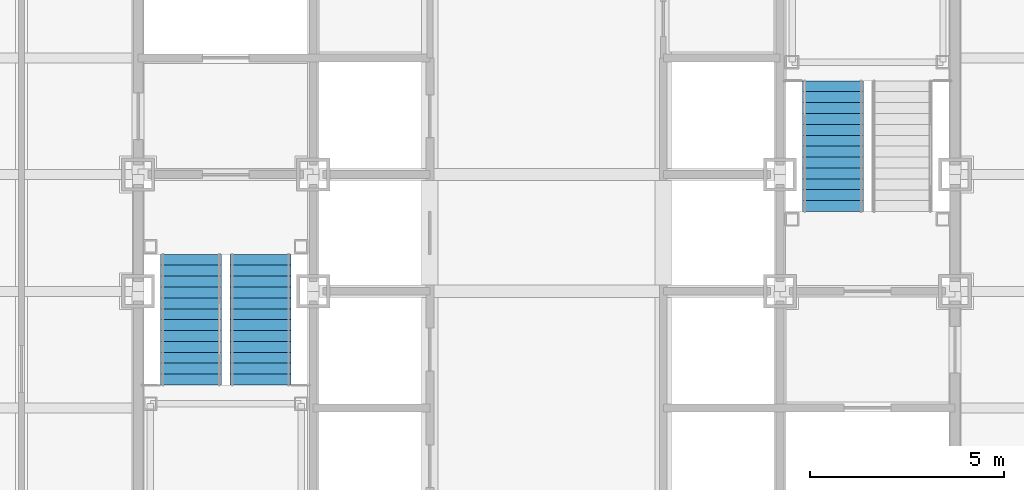
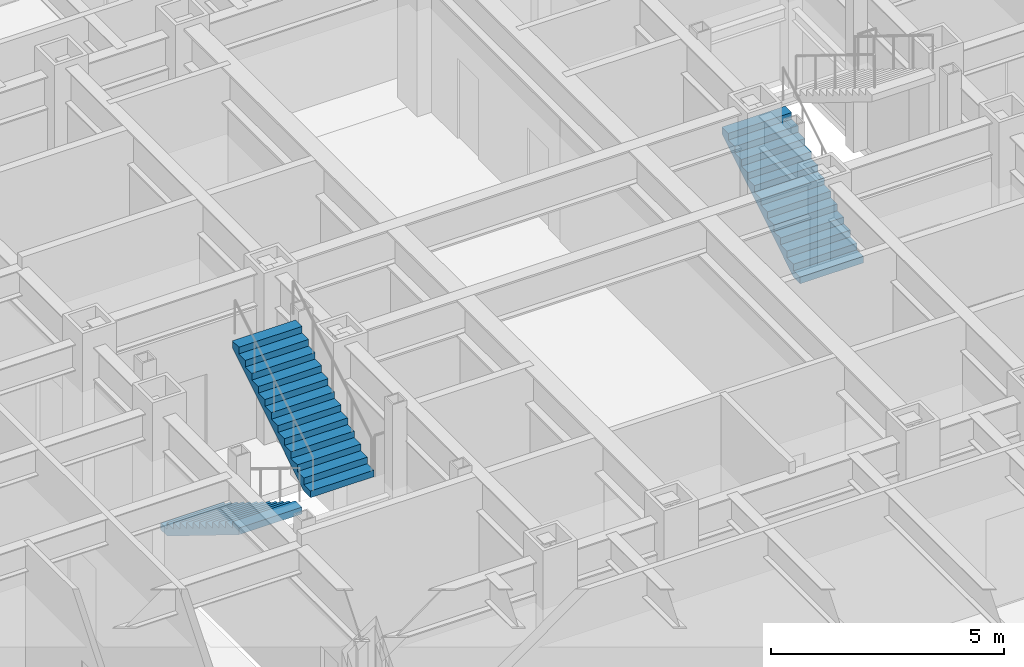
# One storey, part 12 of 16: 3 stair flights, 2 elements without a shape of their own.
"""IFC4 building model written with IfcOpenShell, lengths in metres."""

import ifcopenshell
import ifcopenshell.guid

model = None  # the IFC model being written
_history = None  # IfcOwnerHistory: only IFC2X3 demands one
_inside = {}  # id of a spatial element -> (the spatial element, [elements in it])
_under = {}  # id of a project, library or spatial element -> (it, [spatial elements below it])
_declared = {}  # id of a project -> (the project, [libraries it declares])
_typed = {}  # id of a type object -> (the type object, [elements of that type])
_made_of = {}  # id of a material, layer set ... -> (it, [elements and type objects made of it])


def new_model(schema):
    """Start an empty IFC model of exactly this schema.

    Asked for "IFC4X3", IfcOpenShell would pick the latest addendum, in which some entities
    have other attributes; the version numbers below select the first issue.
    IFC2X3 requires an IfcOwnerHistory on every rooted entity: one is made here for all.
    """
    global model, _history
    if schema == "IFC4X3":
        model = ifcopenshell.file(schema_version=(4, 3, 0, 0))
    else:
        model = ifcopenshell.file(schema=schema)
    _inside.clear()
    _under.clear()
    _declared.clear()
    _typed.clear()
    _made_of.clear()
    _history = None
    if model.schema == "IFC2X3":
        org = make("IfcOrganization", Name="unknown")
        user = make(
            "IfcPersonAndOrganization",
            ThePerson=make("IfcPerson", FamilyName="unknown"),
            TheOrganization=org,
        )
        app = make(
            "IfcApplication",
            ApplicationDeveloper=org,
            Version="unknown",
            ApplicationFullName="unknown",
            ApplicationIdentifier="unknown",
        )
        _history = make(
            "IfcOwnerHistory",
            OwningUser=user,
            OwningApplication=app,
            ChangeAction="ADDED",
            CreationDate=0,
        )
    return model


def make(cls, **values):
    """One entity of the class cls with the attributes given. An attribute that is None is left unset."""
    return model.create_entity(
        cls, **{name: value for name, value in values.items() if value is not None}
    )


def rooted(cls, **values):
    """An entity with a GlobalId (a new one), such as an element, a storey or a relation."""
    return make(cls, GlobalId=ifcopenshell.guid.new(), OwnerHistory=_history, **values)


def si_unit(unit_type, name, prefix=None):
    """IfcSIUnit, for example si_unit("LENGTHUNIT", "METRE", prefix="MILLI")."""
    return make("IfcSIUnit", UnitType=unit_type, Prefix=prefix, Name=name)


def assignment(units):
    """IfcUnitAssignment: the units of a project."""
    return None if units is None else make("IfcUnitAssignment", Units=units)


def point(xyz):
    """IfcCartesianPoint."""
    return None if xyz is None else make("IfcCartesianPoint", Coordinates=xyz)


def direction(xyz):
    """IfcDirection."""
    return None if xyz is None else make("IfcDirection", DirectionRatios=xyz)


def frame(location, z_axis=None, x_axis=None):
    """IfcAxis2Placement3D, a coordinate frame: its origin and axes. An axis left out is left unset."""
    return make(
        "IfcAxis2Placement3D",
        Location=point(location),
        Axis=direction(z_axis),
        RefDirection=direction(x_axis),
    )


def origin():
    """The frame at (0, 0, 0) with its axes left unset."""
    return frame((0.0, 0.0, 0.0))


def place(relative_to, where):
    """IfcLocalPlacement: puts the frame where relative to a parent placement (None: the world)."""
    return make(
        "IfcLocalPlacement", PlacementRelTo=relative_to, RelativePlacement=where
    )


def context(
    kind, dimensions, precision=None, world=None, true_north=None, identifier=None
):
    """IfcGeometricRepresentationContext, for example the 3D "Model" context."""
    return make(
        "IfcGeometricRepresentationContext",
        ContextIdentifier=identifier,
        ContextType=kind,
        CoordinateSpaceDimension=dimensions,
        Precision=precision,
        WorldCoordinateSystem=world,
        TrueNorth=true_north,
    )


def subcontext(parent, identifier, kind, view, scale=None):
    """IfcGeometricRepresentationSubContext, for example "Body" below "Model"."""
    return make(
        "IfcGeometricRepresentationSubContext",
        ContextIdentifier=identifier,
        ContextType=kind,
        ParentContext=parent,
        TargetScale=scale,
        TargetView=view,
    )


def project(units=None, contexts=None):
    """IfcProject with its units and contexts."""
    return rooted(
        "IfcProject",
        Name="project",
        RepresentationContexts=contexts,
        UnitsInContext=assignment(units),
    )


def spatial(cls, under=None, at=None, **own):
    """A site, building, storey or space (cls), placed at a placement, below another one or the project."""
    s = rooted(cls, ObjectPlacement=at, **own)
    if under is not None:
        _under.setdefault(under.id(), (under, []))[1].append(s)
    return s


def faces_of(points, faces, orient=None, outer=None):
    """IfcFace entities. A face is a list of loops; a loop is a list of indices into points, from 0.

    orient and outer hold one flag for each loop. By default every Orientation is true, the
    first loop of a face is its IfcFaceOuterBound and the others are IfcFaceBound.
    """
    made = []
    for i, loops in enumerate(faces):
        bounds = []
        for j, loop in enumerate(loops):
            is_outer = j == 0 if outer is None else outer[i][j]
            bounds.append(
                make(
                    "IfcFaceOuterBound" if is_outer else "IfcFaceBound",
                    Bound=make("IfcPolyLoop", Polygon=[points[k] for k in loop]),
                    Orientation=True if orient is None else orient[i][j],
                )
            )
        made.append(make("IfcFace", Bounds=bounds))
    return made


def faceted_brep(points, faces, orient=None, outer=None, voids=None):
    """IfcFacetedBrep: a solid bounded by flat faces; with voids (closed shells), ...WithVoids."""
    shared = [point(p) for p in points]
    hull = make("IfcClosedShell", CfsFaces=faces_of(shared, faces, orient, outer))
    if voids is None:
        return make("IfcFacetedBrep", Outer=hull)
    return make(
        "IfcFacetedBrepWithVoids",
        Outer=hull,
        Voids=[
            make(cls, CfsFaces=faces_of(shared, fs, o, b)) for cls, fs, o, b in voids
        ],
    )


def shape(context_of_items, identifier, shape_type, items):
    """IfcShapeRepresentation: the items that make up one representation, for example the "Body"."""
    return make(
        "IfcShapeRepresentation",
        ContextOfItems=context_of_items,
        RepresentationIdentifier=identifier,
        RepresentationType=shape_type,
        Items=items,
    )


def material(Name=None, Category=None):
    """IfcMaterial."""
    return make("IfcMaterial", Name=Name, Category=Category)


def made_of(thing, what):
    """Note that an element or type object is made of a material, layer set ...; save() writes the relation."""
    if what is not None:
        _made_of.setdefault(what.id(), (what, []))[1].append(thing)
    return thing


def type_object(cls, material=None, **own):
    """A type object (cls), such as IfcWallType, which elements share."""
    return made_of(rooted(cls, **own), material)


def element(
    cls,
    number,
    at=None,
    inside=None,
    cuts=None,
    type_object=None,
    material=None,
    context=None,
    identifier="Body",
    shape_type=None,
    held_by="IfcProductDefinitionShape",
    body=None,
    shapes=None,
    **own,
):
    """One element of the class cls, such as IfcWall. Its Tag is "e" and its number.

    at: its placement. inside: the storey or other place that contains it. cuts: it is an
    opening in that element (IfcRelVoidsElement). A single representation is given by context,
    identifier, shape_type and body (its items); several are given by shapes. held_by: the class
    of the entity that holds the representations. save() writes the other relations.
    """
    e = rooted(cls, Tag="e%d" % number, ObjectPlacement=at, **own)
    if body is not None:
        shapes = [shape(context, identifier, shape_type, body)]
    if shapes is not None:
        e.Representation = make(held_by, Representations=shapes)
    if inside is not None:
        _inside.setdefault(inside.id(), (inside, []))[1].append(e)
    if cuts is not None:
        rooted(
            "IfcRelVoidsElement", RelatingBuildingElement=cuts, RelatedOpeningElement=e
        )
    if type_object is not None:
        _typed.setdefault(type_object.id(), (type_object, []))[1].append(e)
    return made_of(e, material)


def aggregate(whole, parts):
    """IfcRelAggregates: a whole, such as a stair, and the parts it consists of."""
    return rooted("IfcRelAggregates", RelatingObject=whole, RelatedObjects=parts)


def save(model, path):
    """Write the relations noted so far, then the file.

    IfcRelAggregates (storeys below a building ...), IfcRelContainedInSpatialStructure (elements
    in a storey), IfcRelDefinesByType, IfcRelAssociatesMaterial and IfcRelDeclares: one each for
    every whole, place, type object, material and project.
    """
    for whole, parts in _under.values():
        aggregate(whole, parts)
    for where, things in _inside.values():
        rooted(
            "IfcRelContainedInSpatialStructure",
            RelatedElements=things,
            RelatingStructure=where,
        )
    for kind, things in _typed.values():
        rooted("IfcRelDefinesByType", RelatedObjects=things, RelatingType=kind)
    for what, things in _made_of.values():
        rooted("IfcRelAssociatesMaterial", RelatedObjects=things, RelatingMaterial=what)
    for by, libraries in _declared.values():
        rooted("IfcRelDeclares", RelatingContext=by, RelatedDefinitions=libraries)
    model.write(path)


model = new_model("IFC4")

# Units and contexts
model_context = context("Model", 3, precision=1e-05, world=origin(), true_north=direction((0.0, 1.0)))
body_context = subcontext(model_context, "Body", "Model", "MODEL_VIEW")
ifc_project = project(units=[si_unit("LENGTHUNIT", "METRE"), si_unit("AREAUNIT", "SQUARE_METRE"), si_unit("VOLUMEUNIT", "CUBIC_METRE"), si_unit("PLANEANGLEUNIT", "RADIAN"), si_unit("MASSUNIT", "GRAM", prefix="KILO")], contexts=[model_context])

# Site, building, storey
site_placement = place(None, origin())
site = spatial("IfcSite", under=ifc_project, at=site_placement, CompositionType="ELEMENT")
building_placement = place(site_placement, origin())
building = spatial("IfcBuilding", under=site, at=building_placement, Name="Chuquiago Exchange Tower", CompositionType="ELEMENT")
storey_placement = place(building_placement, frame((0.0, 0.0, 82.800048828125)))
storey = spatial("IfcBuildingStorey", under=building, at=storey_placement, Name="L17", CompositionType="ELEMENT", Elevation=82.800048828125)

# Stair, stair flights
ifc_material_1 = material(Name="Concrete C30/37, precast", Category="concrete")
stair_type_1 = type_object("IfcStairType", Name="ST1 half-turn stair 4500", PredefinedType="HALF_TURN_STAIR", material=ifc_material_1)
stair_1_placement = place(storey_placement, origin())
stair_1 = element("IfcStair", 1, at=stair_1_placement, inside=storey, type_object=stair_type_1, Name="Stair ST1 L17", PredefinedType="HALF_TURN_STAIR")
ifc_material_2 = material(Name="Concrete C30/37, precast", Category="concrete")
stair_flight_type = type_object("IfcStairFlightType", Name="ST-F flight 1570 for 4500 storey", PredefinedType="STRAIGHT", material=ifc_material_2)
stair_flight_1_placement = place(storey_placement, frame((13.360107421875, 21.949951171875, 0.0), z_axis=(0.0, 0.0, 1.0), x_axis=(0.0, -1.0, 0.0)))
stair_flight_1 = element("IfcStairFlight", 2, at=stair_flight_1_placement, type_object=stair_flight_type, Name="ST1 flight 1", NumberOfRisers=13, NumberOfTreads=12, PredefinedType="STRAIGHT", RiserHeight=0.173076923, TreadLength=0.28, context=body_context, shape_type="Brep", body=[
    faceted_brep([(0.0, 0.78515625, 0.0), (0.0, 0.78515625, 0.173095703125), (0.280029296875, 0.78515625, 0.173095703125), (0.280029296875, 0.78515625, 0.34619140625), (0.56005859375, 0.78515625, 0.34619140625), (0.56005859375, 0.78515625, 0.519287109375), (0.840087890625, 0.78515625, 0.519287109375), (0.840087890625, 0.78515625, 0.6923828125), (1.1201171875, 0.78515625, 0.6923828125), (1.1201171875, 0.78515625, 0.865478515625), (1.39990234375, 0.78515625, 0.865478515625), (1.39990234375, 0.78515625, 1.03857421875), (1.679931640625, 0.78515625, 1.03857421875), (1.679931640625, 0.78515625, 1.21142578125), (1.9599609375, 0.78515625, 1.21142578125), (1.9599609375, 0.78515625, 1.384521484375), (2.239990234375, 0.78515625, 1.384521484375), (2.239990234375, 0.78515625, 1.5576171875), (2.52001953125, 0.78515625, 1.5576171875), (2.52001953125, 0.78515625, 1.730712890625), (2.800048828125, 0.78515625, 1.730712890625), (2.800048828125, 0.78515625, 1.90380859375), (3.080078125, 0.78515625, 1.90380859375), (3.080078125, 0.78515625, 2.076904296875), (3.360107421875, 0.78515625, 2.076904296875), (3.360107421875, 0.78515625, 1.900634765625), (0.28515625, 0.78515625, 0.0), (0.28515625, -0.78515625, 0.0), (3.360107421875, -0.78515625, 1.900634765625), (3.360107421875, -0.78515625, 2.076904296875), (3.080078125, -0.78515625, 2.076904296875), (3.080078125, -0.78515625, 1.90380859375), (2.800048828125, -0.78515625, 1.90380859375), (2.800048828125, -0.78515625, 1.730712890625), (2.52001953125, -0.78515625, 1.730712890625), (2.52001953125, -0.78515625, 1.5576171875), (2.239990234375, -0.78515625, 1.5576171875), (2.239990234375, -0.78515625, 1.384521484375), (1.9599609375, -0.78515625, 1.384521484375), (1.9599609375, -0.78515625, 1.21142578125), (1.679931640625, -0.78515625, 1.21142578125), (1.679931640625, -0.78515625, 1.03857421875), (1.39990234375, -0.78515625, 1.03857421875), (1.39990234375, -0.78515625, 0.865478515625), (1.1201171875, -0.78515625, 0.865478515625), (1.1201171875, -0.78515625, 0.6923828125), (0.840087890625, -0.78515625, 0.6923828125), (0.840087890625, -0.78515625, 0.519287109375), (0.56005859375, -0.78515625, 0.519287109375), (0.56005859375, -0.78515625, 0.34619140625), (0.280029296875, -0.78515625, 0.34619140625), (0.280029296875, -0.78515625, 0.173095703125), (0.0, -0.78515625, 0.173095703125), (0.0, -0.78515625, 0.0), (0.0, 0.392578125, 0.0), (0.0, 0.392578125, 0.173095703125), (0.0, 0.0, 0.0), (0.0, 0.0, 0.173095703125), (0.0, -0.392578125, 0.0), (0.0, -0.392578125, 0.173095703125), (0.280029296875, 0.392578125, 0.173095703125), (0.280029296875, 0.0, 0.173095703125), (0.280029296875, -0.392578125, 0.173095703125), (0.280029296875, 0.392578125, 0.34619140625), (0.280029296875, 0.0, 0.34619140625), (0.280029296875, -0.392578125, 0.34619140625), (0.56005859375, 0.392578125, 0.34619140625), (0.56005859375, 0.0, 0.34619140625), (0.56005859375, -0.392578125, 0.34619140625), (0.56005859375, 0.392578125, 0.519287109375), (0.56005859375, 0.0, 0.519287109375), (0.56005859375, -0.392578125, 0.519287109375), (0.840087890625, 0.392578125, 0.519287109375), (0.840087890625, 0.0, 0.519287109375), (0.840087890625, -0.392578125, 0.519287109375), (0.840087890625, 0.392578125, 0.6923828125), (0.840087890625, 0.0, 0.6923828125), (0.840087890625, -0.392578125, 0.6923828125), (1.1201171875, 0.392578125, 0.6923828125), (1.1201171875, 0.0, 0.6923828125), (1.1201171875, -0.392578125, 0.6923828125), (1.1201171875, 0.392578125, 0.865478515625), (1.1201171875, 0.0, 0.865478515625), (1.1201171875, -0.392578125, 0.865478515625), (1.39990234375, 0.392578125, 0.865478515625), (1.39990234375, 0.0, 0.865478515625), (1.39990234375, -0.392578125, 0.865478515625), (1.39990234375, 0.392578125, 1.03857421875), (1.39990234375, 0.0, 1.03857421875), (1.39990234375, -0.392578125, 1.03857421875), (1.679931640625, 0.392578125, 1.03857421875), (1.679931640625, 0.0, 1.03857421875), (1.679931640625, -0.392578125, 1.03857421875), (1.679931640625, 0.392578125, 1.21142578125), (1.679931640625, 0.0, 1.21142578125), (1.679931640625, -0.392578125, 1.21142578125), (1.9599609375, 0.392578125, 1.21142578125), (1.9599609375, 0.0, 1.21142578125), (1.9599609375, -0.392578125, 1.21142578125), (1.9599609375, 0.392578125, 1.384521484375), (1.9599609375, 0.0, 1.384521484375), (1.9599609375, -0.392578125, 1.384521484375), (2.239990234375, 0.392578125, 1.384521484375), (2.239990234375, 0.0, 1.384521484375), (2.239990234375, -0.392578125, 1.384521484375), (2.239990234375, 0.392578125, 1.5576171875), (2.239990234375, 0.0, 1.5576171875), (2.239990234375, -0.392578125, 1.5576171875), (2.52001953125, 0.392578125, 1.5576171875), (2.52001953125, 0.0, 1.5576171875), (2.52001953125, -0.392578125, 1.5576171875), (2.52001953125, 0.392578125, 1.730712890625), (2.52001953125, 0.0, 1.730712890625), (2.52001953125, -0.392578125, 1.730712890625), (2.800048828125, 0.392578125, 1.730712890625), (2.800048828125, 0.0, 1.730712890625), (2.800048828125, -0.392578125, 1.730712890625), (2.800048828125, 0.392578125, 1.90380859375), (2.800048828125, 0.0, 1.90380859375), (2.800048828125, -0.392578125, 1.90380859375), (3.080078125, 0.392578125, 1.90380859375), (3.080078125, 0.0, 1.90380859375), (3.080078125, -0.392578125, 1.90380859375), (3.080078125, 0.392578125, 2.076904296875), (3.080078125, 0.0, 2.076904296875), (3.080078125, -0.392578125, 2.076904296875), (3.360107421875, 0.392578125, 2.076904296875), (3.360107421875, 0.0, 2.076904296875), (3.360107421875, -0.392578125, 2.076904296875), (3.360107421875, 0.392578125, 1.900634765625), (3.360107421875, 0.0, 1.900634765625), (3.360107421875, -0.392578125, 1.900634765625), (0.28515625, 0.392578125, 0.0), (0.28515625, 0.0, 0.0), (0.28515625, -0.392578125, 0.0)], [[[0, 1, 2, 3, 4, 5, 6, 7, 8, 9, 10, 11, 12, 13, 14, 15, 16, 17, 18, 19, 20, 21, 22, 23, 24, 25, 26]], [[27, 28, 29, 30, 31, 32, 33, 34, 35, 36, 37, 38, 39, 40, 41, 42, 43, 44, 45, 46, 47, 48, 49, 50, 51, 52, 53]], [[1, 0, 54, 55]], [[55, 54, 56, 57]], [[57, 56, 58, 59]], [[59, 58, 53, 52]], [[2, 1, 55, 60]], [[60, 55, 57, 61]], [[61, 57, 59, 62]], [[62, 59, 52, 51]], [[3, 2, 60, 63]], [[63, 60, 61, 64]], [[64, 61, 62, 65]], [[65, 62, 51, 50]], [[4, 3, 63, 66]], [[66, 63, 64, 67]], [[67, 64, 65, 68]], [[68, 65, 50, 49]], [[5, 4, 66, 69]], [[69, 66, 67, 70]], [[70, 67, 68, 71]], [[71, 68, 49, 48]], [[6, 5, 69, 72]], [[72, 69, 70, 73]], [[73, 70, 71, 74]], [[74, 71, 48, 47]], [[7, 6, 72, 75]], [[75, 72, 73, 76]], [[76, 73, 74, 77]], [[77, 74, 47, 46]], [[8, 7, 75, 78]], [[78, 75, 76, 79]], [[79, 76, 77, 80]], [[80, 77, 46, 45]], [[9, 8, 78, 81]], [[81, 78, 79, 82]], [[82, 79, 80, 83]], [[83, 80, 45, 44]], [[10, 9, 81, 84]], [[84, 81, 82, 85]], [[85, 82, 83, 86]], [[86, 83, 44, 43]], [[11, 10, 84, 87]], [[87, 84, 85, 88]], [[88, 85, 86, 89]], [[89, 86, 43, 42]], [[12, 11, 87, 90]], [[90, 87, 88, 91]], [[91, 88, 89, 92]], [[92, 89, 42, 41]], [[13, 12, 90, 93]], [[93, 90, 91, 94]], [[94, 91, 92, 95]], [[95, 92, 41, 40]], [[14, 13, 93, 96]], [[96, 93, 94, 97]], [[97, 94, 95, 98]], [[98, 95, 40, 39]], [[15, 14, 96, 99]], [[99, 96, 97, 100]], [[100, 97, 98, 101]], [[101, 98, 39, 38]], [[16, 15, 99, 102]], [[102, 99, 100, 103]], [[103, 100, 101, 104]], [[104, 101, 38, 37]], [[17, 16, 102, 105]], [[105, 102, 103, 106]], [[106, 103, 104, 107]], [[107, 104, 37, 36]], [[18, 17, 105, 108]], [[108, 105, 106, 109]], [[109, 106, 107, 110]], [[110, 107, 36, 35]], [[19, 18, 108, 111]], [[111, 108, 109, 112]], [[112, 109, 110, 113]], [[113, 110, 35, 34]], [[20, 19, 111, 114]], [[114, 111, 112, 115]], [[115, 112, 113, 116]], [[116, 113, 34, 33]], [[21, 20, 114, 117]], [[117, 114, 115, 118]], [[118, 115, 116, 119]], [[119, 116, 33, 32]], [[22, 21, 117, 120]], [[120, 117, 118, 121]], [[121, 118, 119, 122]], [[122, 119, 32, 31]], [[23, 22, 120, 123]], [[123, 120, 121, 124]], [[124, 121, 122, 125]], [[125, 122, 31, 30]], [[24, 23, 123, 126]], [[126, 123, 124, 127]], [[127, 124, 125, 128]], [[128, 125, 30, 29]], [[25, 24, 126, 129]], [[129, 126, 127, 130]], [[130, 127, 128, 131]], [[131, 128, 29, 28]], [[26, 25, 129, 132]], [[132, 129, 130, 133]], [[133, 130, 131, 134]], [[134, 131, 28, 27]], [[0, 26, 132, 54]], [[54, 132, 133, 56]], [[56, 133, 134, 58]], [[58, 134, 27, 53]]]),
])
stair_flight_2_placement = place(storey_placement, frame((15.139892578125, 18.590087890625, 2.25), z_axis=(0.0, 0.0, 1.0), x_axis=(0.0, 1.0, 0.0)))
stair_flight_2 = element("IfcStairFlight", 3, at=stair_flight_2_placement, type_object=stair_flight_type, Name="ST1 flight 2", NumberOfRisers=13, NumberOfTreads=12, PredefinedType="STRAIGHT", RiserHeight=0.173076923, TreadLength=0.28, context=body_context, shape_type="Brep", body=[
    faceted_brep([(0.0, 0.78515625, 0.0), (0.0, 0.78515625, 0.173095703125), (0.280029296875, 0.78515625, 0.173095703125), (0.280029296875, 0.78515625, 0.34619140625), (0.56005859375, 0.78515625, 0.34619140625), (0.56005859375, 0.78515625, 0.519287109375), (0.840087890625, 0.78515625, 0.519287109375), (0.840087890625, 0.78515625, 0.6923828125), (1.1201171875, 0.78515625, 0.6923828125), (1.1201171875, 0.78515625, 0.865478515625), (1.39990234375, 0.78515625, 0.865478515625), (1.39990234375, 0.78515625, 1.03857421875), (1.679931640625, 0.78515625, 1.03857421875), (1.679931640625, 0.78515625, 1.21142578125), (1.9599609375, 0.78515625, 1.21142578125), (1.9599609375, 0.78515625, 1.384521484375), (2.239990234375, 0.78515625, 1.384521484375), (2.239990234375, 0.78515625, 1.5576171875), (2.52001953125, 0.78515625, 1.5576171875), (2.52001953125, 0.78515625, 1.730712890625), (2.800048828125, 0.78515625, 1.730712890625), (2.800048828125, 0.78515625, 1.90380859375), (3.080078125, 0.78515625, 1.90380859375), (3.080078125, 0.78515625, 2.076904296875), (3.360107421875, 0.78515625, 2.076904296875), (3.360107421875, 0.78515625, 1.900634765625), (0.28515625, 0.78515625, 0.0), (0.28515625, -0.78515625, 0.0), (3.360107421875, -0.78515625, 1.900634765625), (3.360107421875, -0.78515625, 2.076904296875), (3.080078125, -0.78515625, 2.076904296875), (3.080078125, -0.78515625, 1.90380859375), (2.800048828125, -0.78515625, 1.90380859375), (2.800048828125, -0.78515625, 1.730712890625), (2.52001953125, -0.78515625, 1.730712890625), (2.52001953125, -0.78515625, 1.5576171875), (2.239990234375, -0.78515625, 1.5576171875), (2.239990234375, -0.78515625, 1.384521484375), (1.9599609375, -0.78515625, 1.384521484375), (1.9599609375, -0.78515625, 1.21142578125), (1.679931640625, -0.78515625, 1.21142578125), (1.679931640625, -0.78515625, 1.03857421875), (1.39990234375, -0.78515625, 1.03857421875), (1.39990234375, -0.78515625, 0.865478515625), (1.1201171875, -0.78515625, 0.865478515625), (1.1201171875, -0.78515625, 0.6923828125), (0.840087890625, -0.78515625, 0.6923828125), (0.840087890625, -0.78515625, 0.519287109375), (0.56005859375, -0.78515625, 0.519287109375), (0.56005859375, -0.78515625, 0.34619140625), (0.280029296875, -0.78515625, 0.34619140625), (0.280029296875, -0.78515625, 0.173095703125), (0.0, -0.78515625, 0.173095703125), (0.0, -0.78515625, 0.0), (0.0, 0.392578125, 0.0), (0.0, 0.392578125, 0.173095703125), (0.0, 0.0, 0.0), (0.0, 0.0, 0.173095703125), (0.0, -0.392578125, 0.0), (0.0, -0.392578125, 0.173095703125), (0.280029296875, 0.392578125, 0.173095703125), (0.280029296875, 0.0, 0.173095703125), (0.280029296875, -0.392578125, 0.173095703125), (0.280029296875, 0.392578125, 0.34619140625), (0.280029296875, 0.0, 0.34619140625), (0.280029296875, -0.392578125, 0.34619140625), (0.56005859375, 0.392578125, 0.34619140625), (0.56005859375, 0.0, 0.34619140625), (0.56005859375, -0.392578125, 0.34619140625), (0.56005859375, 0.392578125, 0.519287109375), (0.56005859375, 0.0, 0.519287109375), (0.56005859375, -0.392578125, 0.519287109375), (0.840087890625, 0.392578125, 0.519287109375), (0.840087890625, 0.0, 0.519287109375), (0.840087890625, -0.392578125, 0.519287109375), (0.840087890625, 0.392578125, 0.6923828125), (0.840087890625, 0.0, 0.6923828125), (0.840087890625, -0.392578125, 0.6923828125), (1.1201171875, 0.392578125, 0.6923828125), (1.1201171875, 0.0, 0.6923828125), (1.1201171875, -0.392578125, 0.6923828125), (1.1201171875, 0.392578125, 0.865478515625), (1.1201171875, 0.0, 0.865478515625), (1.1201171875, -0.392578125, 0.865478515625), (1.39990234375, 0.392578125, 0.865478515625), (1.39990234375, 0.0, 0.865478515625), (1.39990234375, -0.392578125, 0.865478515625), (1.39990234375, 0.392578125, 1.03857421875), (1.39990234375, 0.0, 1.03857421875), (1.39990234375, -0.392578125, 1.03857421875), (1.679931640625, 0.392578125, 1.03857421875), (1.679931640625, 0.0, 1.03857421875), (1.679931640625, -0.392578125, 1.03857421875), (1.679931640625, 0.392578125, 1.21142578125), (1.679931640625, 0.0, 1.21142578125), (1.679931640625, -0.392578125, 1.21142578125), (1.9599609375, 0.392578125, 1.21142578125), (1.9599609375, 0.0, 1.21142578125), (1.9599609375, -0.392578125, 1.21142578125), (1.9599609375, 0.392578125, 1.384521484375), (1.9599609375, 0.0, 1.384521484375), (1.9599609375, -0.392578125, 1.384521484375), (2.239990234375, 0.392578125, 1.384521484375), (2.239990234375, 0.0, 1.384521484375), (2.239990234375, -0.392578125, 1.384521484375), (2.239990234375, 0.392578125, 1.5576171875), (2.239990234375, 0.0, 1.5576171875), (2.239990234375, -0.392578125, 1.5576171875), (2.52001953125, 0.392578125, 1.5576171875), (2.52001953125, 0.0, 1.5576171875), (2.52001953125, -0.392578125, 1.5576171875), (2.52001953125, 0.392578125, 1.730712890625), (2.52001953125, 0.0, 1.730712890625), (2.52001953125, -0.392578125, 1.730712890625), (2.800048828125, 0.392578125, 1.730712890625), (2.800048828125, 0.0, 1.730712890625), (2.800048828125, -0.392578125, 1.730712890625), (2.800048828125, 0.392578125, 1.90380859375), (2.800048828125, 0.0, 1.90380859375), (2.800048828125, -0.392578125, 1.90380859375), (3.080078125, 0.392578125, 1.90380859375), (3.080078125, 0.0, 1.90380859375), (3.080078125, -0.392578125, 1.90380859375), (3.080078125, 0.392578125, 2.076904296875), (3.080078125, 0.0, 2.076904296875), (3.080078125, -0.392578125, 2.076904296875), (3.360107421875, 0.392578125, 2.076904296875), (3.360107421875, 0.0, 2.076904296875), (3.360107421875, -0.392578125, 2.076904296875), (3.360107421875, 0.392578125, 1.900634765625), (3.360107421875, 0.0, 1.900634765625), (3.360107421875, -0.392578125, 1.900634765625), (0.28515625, 0.392578125, 0.0), (0.28515625, 0.0, 0.0), (0.28515625, -0.392578125, 0.0)], [[[0, 1, 2, 3, 4, 5, 6, 7, 8, 9, 10, 11, 12, 13, 14, 15, 16, 17, 18, 19, 20, 21, 22, 23, 24, 25, 26]], [[27, 28, 29, 30, 31, 32, 33, 34, 35, 36, 37, 38, 39, 40, 41, 42, 43, 44, 45, 46, 47, 48, 49, 50, 51, 52, 53]], [[1, 0, 54, 55]], [[55, 54, 56, 57]], [[57, 56, 58, 59]], [[59, 58, 53, 52]], [[2, 1, 55, 60]], [[60, 55, 57, 61]], [[61, 57, 59, 62]], [[62, 59, 52, 51]], [[3, 2, 60, 63]], [[63, 60, 61, 64]], [[64, 61, 62, 65]], [[65, 62, 51, 50]], [[4, 3, 63, 66]], [[66, 63, 64, 67]], [[67, 64, 65, 68]], [[68, 65, 50, 49]], [[5, 4, 66, 69]], [[69, 66, 67, 70]], [[70, 67, 68, 71]], [[71, 68, 49, 48]], [[6, 5, 69, 72]], [[72, 69, 70, 73]], [[73, 70, 71, 74]], [[74, 71, 48, 47]], [[7, 6, 72, 75]], [[75, 72, 73, 76]], [[76, 73, 74, 77]], [[77, 74, 47, 46]], [[8, 7, 75, 78]], [[78, 75, 76, 79]], [[79, 76, 77, 80]], [[80, 77, 46, 45]], [[9, 8, 78, 81]], [[81, 78, 79, 82]], [[82, 79, 80, 83]], [[83, 80, 45, 44]], [[10, 9, 81, 84]], [[84, 81, 82, 85]], [[85, 82, 83, 86]], [[86, 83, 44, 43]], [[11, 10, 84, 87]], [[87, 84, 85, 88]], [[88, 85, 86, 89]], [[89, 86, 43, 42]], [[12, 11, 87, 90]], [[90, 87, 88, 91]], [[91, 88, 89, 92]], [[92, 89, 42, 41]], [[13, 12, 90, 93]], [[93, 90, 91, 94]], [[94, 91, 92, 95]], [[95, 92, 41, 40]], [[14, 13, 93, 96]], [[96, 93, 94, 97]], [[97, 94, 95, 98]], [[98, 95, 40, 39]], [[15, 14, 96, 99]], [[99, 96, 97, 100]], [[100, 97, 98, 101]], [[101, 98, 39, 38]], [[16, 15, 99, 102]], [[102, 99, 100, 103]], [[103, 100, 101, 104]], [[104, 101, 38, 37]], [[17, 16, 102, 105]], [[105, 102, 103, 106]], [[106, 103, 104, 107]], [[107, 104, 37, 36]], [[18, 17, 105, 108]], [[108, 105, 106, 109]], [[109, 106, 107, 110]], [[110, 107, 36, 35]], [[19, 18, 108, 111]], [[111, 108, 109, 112]], [[112, 109, 110, 113]], [[113, 110, 35, 34]], [[20, 19, 111, 114]], [[114, 111, 112, 115]], [[115, 112, 113, 116]], [[116, 113, 34, 33]], [[21, 20, 114, 117]], [[117, 114, 115, 118]], [[118, 115, 116, 119]], [[119, 116, 33, 32]], [[22, 21, 117, 120]], [[120, 117, 118, 121]], [[121, 118, 119, 122]], [[122, 119, 32, 31]], [[23, 22, 120, 123]], [[123, 120, 121, 124]], [[124, 121, 122, 125]], [[125, 122, 31, 30]], [[24, 23, 123, 126]], [[126, 123, 124, 127]], [[127, 124, 125, 128]], [[128, 125, 30, 29]], [[25, 24, 126, 129]], [[129, 126, 127, 130]], [[130, 127, 128, 131]], [[131, 128, 29, 28]], [[26, 25, 129, 132]], [[132, 129, 130, 133]], [[133, 130, 131, 134]], [[134, 131, 28, 27]], [[0, 26, 132, 54]], [[54, 132, 133, 56]], [[56, 133, 134, 58]], [[58, 134, 27, 53]]]),
])
aggregate(stair_1, [stair_flight_1, stair_flight_2])

# Stair, stair flight
ifc_material_3 = material(Name="Concrete C30/37, precast", Category="concrete")
stair_type_2 = type_object("IfcStairType", Name="ST2 half-turn stair 4500", PredefinedType="HALF_TURN_STAIR", material=ifc_material_3)
stair_2_placement = place(storey_placement, origin())
stair_2 = element("IfcStair", 4, at=stair_2_placement, inside=storey, type_object=stair_type_2, Name="Stair ST2 L17", PredefinedType="HALF_TURN_STAIR")
stair_flight_3_placement = place(storey_placement, frame((29.860107421875, 23.050048828125, 0.0), z_axis=(0.0, 0.0, 1.0), x_axis=(0.0, 1.0, 0.0)))
stair_flight_3 = element("IfcStairFlight", 5, at=stair_flight_3_placement, type_object=stair_flight_type, Name="ST2 flight 1", NumberOfRisers=13, NumberOfTreads=12, PredefinedType="STRAIGHT", RiserHeight=0.173076923, TreadLength=0.28, context=body_context, shape_type="Brep", body=[
    faceted_brep([(0.0, 0.78515625, 0.0), (0.0, 0.78515625, 0.173095703125), (0.280029296875, 0.78515625, 0.173095703125), (0.280029296875, 0.78515625, 0.34619140625), (0.56005859375, 0.78515625, 0.34619140625), (0.56005859375, 0.78515625, 0.519287109375), (0.840087890625, 0.78515625, 0.519287109375), (0.840087890625, 0.78515625, 0.6923828125), (1.1201171875, 0.78515625, 0.6923828125), (1.1201171875, 0.78515625, 0.865478515625), (1.39990234375, 0.78515625, 0.865478515625), (1.39990234375, 0.78515625, 1.03857421875), (1.679931640625, 0.78515625, 1.03857421875), (1.679931640625, 0.78515625, 1.21142578125), (1.9599609375, 0.78515625, 1.21142578125), (1.9599609375, 0.78515625, 1.384521484375), (2.239990234375, 0.78515625, 1.384521484375), (2.239990234375, 0.78515625, 1.5576171875), (2.52001953125, 0.78515625, 1.5576171875), (2.52001953125, 0.78515625, 1.730712890625), (2.800048828125, 0.78515625, 1.730712890625), (2.800048828125, 0.78515625, 1.90380859375), (3.080078125, 0.78515625, 1.90380859375), (3.080078125, 0.78515625, 2.076904296875), (3.360107421875, 0.78515625, 2.076904296875), (3.360107421875, 0.78515625, 1.900634765625), (0.28515625, 0.78515625, 0.0), (0.28515625, -0.78515625, 0.0), (3.360107421875, -0.78515625, 1.900634765625), (3.360107421875, -0.78515625, 2.076904296875), (3.080078125, -0.78515625, 2.076904296875), (3.080078125, -0.78515625, 1.90380859375), (2.800048828125, -0.78515625, 1.90380859375), (2.800048828125, -0.78515625, 1.730712890625), (2.52001953125, -0.78515625, 1.730712890625), (2.52001953125, -0.78515625, 1.5576171875), (2.239990234375, -0.78515625, 1.5576171875), (2.239990234375, -0.78515625, 1.384521484375), (1.9599609375, -0.78515625, 1.384521484375), (1.9599609375, -0.78515625, 1.21142578125), (1.679931640625, -0.78515625, 1.21142578125), (1.679931640625, -0.78515625, 1.03857421875), (1.39990234375, -0.78515625, 1.03857421875), (1.39990234375, -0.78515625, 0.865478515625), (1.1201171875, -0.78515625, 0.865478515625), (1.1201171875, -0.78515625, 0.6923828125), (0.840087890625, -0.78515625, 0.6923828125), (0.840087890625, -0.78515625, 0.519287109375), (0.56005859375, -0.78515625, 0.519287109375), (0.56005859375, -0.78515625, 0.34619140625), (0.280029296875, -0.78515625, 0.34619140625), (0.280029296875, -0.78515625, 0.173095703125), (0.0, -0.78515625, 0.173095703125), (0.0, -0.78515625, 0.0), (0.0, 0.392578125, 0.0), (0.0, 0.392578125, 0.173095703125), (0.0, 0.0, 0.0), (0.0, 0.0, 0.173095703125), (0.0, -0.392578125, 0.0), (0.0, -0.392578125, 0.173095703125), (0.280029296875, 0.392578125, 0.173095703125), (0.280029296875, 0.0, 0.173095703125), (0.280029296875, -0.392578125, 0.173095703125), (0.280029296875, 0.392578125, 0.34619140625), (0.280029296875, 0.0, 0.34619140625), (0.280029296875, -0.392578125, 0.34619140625), (0.56005859375, 0.392578125, 0.34619140625), (0.56005859375, 0.0, 0.34619140625), (0.56005859375, -0.392578125, 0.34619140625), (0.56005859375, 0.392578125, 0.519287109375), (0.56005859375, 0.0, 0.519287109375), (0.56005859375, -0.392578125, 0.519287109375), (0.840087890625, 0.392578125, 0.519287109375), (0.840087890625, 0.0, 0.519287109375), (0.840087890625, -0.392578125, 0.519287109375), (0.840087890625, 0.392578125, 0.6923828125), (0.840087890625, 0.0, 0.6923828125), (0.840087890625, -0.392578125, 0.6923828125), (1.1201171875, 0.392578125, 0.6923828125), (1.1201171875, 0.0, 0.6923828125), (1.1201171875, -0.392578125, 0.6923828125), (1.1201171875, 0.392578125, 0.865478515625), (1.1201171875, 0.0, 0.865478515625), (1.1201171875, -0.392578125, 0.865478515625), (1.39990234375, 0.392578125, 0.865478515625), (1.39990234375, 0.0, 0.865478515625), (1.39990234375, -0.392578125, 0.865478515625), (1.39990234375, 0.392578125, 1.03857421875), (1.39990234375, 0.0, 1.03857421875), (1.39990234375, -0.392578125, 1.03857421875), (1.679931640625, 0.392578125, 1.03857421875), (1.679931640625, 0.0, 1.03857421875), (1.679931640625, -0.392578125, 1.03857421875), (1.679931640625, 0.392578125, 1.21142578125), (1.679931640625, 0.0, 1.21142578125), (1.679931640625, -0.392578125, 1.21142578125), (1.9599609375, 0.392578125, 1.21142578125), (1.9599609375, 0.0, 1.21142578125), (1.9599609375, -0.392578125, 1.21142578125), (1.9599609375, 0.392578125, 1.384521484375), (1.9599609375, 0.0, 1.384521484375), (1.9599609375, -0.392578125, 1.384521484375), (2.239990234375, 0.392578125, 1.384521484375), (2.239990234375, 0.0, 1.384521484375), (2.239990234375, -0.392578125, 1.384521484375), (2.239990234375, 0.392578125, 1.5576171875), (2.239990234375, 0.0, 1.5576171875), (2.239990234375, -0.392578125, 1.5576171875), (2.52001953125, 0.392578125, 1.5576171875), (2.52001953125, 0.0, 1.5576171875), (2.52001953125, -0.392578125, 1.5576171875), (2.52001953125, 0.392578125, 1.730712890625), (2.52001953125, 0.0, 1.730712890625), (2.52001953125, -0.392578125, 1.730712890625), (2.800048828125, 0.392578125, 1.730712890625), (2.800048828125, 0.0, 1.730712890625), (2.800048828125, -0.392578125, 1.730712890625), (2.800048828125, 0.392578125, 1.90380859375), (2.800048828125, 0.0, 1.90380859375), (2.800048828125, -0.392578125, 1.90380859375), (3.080078125, 0.392578125, 1.90380859375), (3.080078125, 0.0, 1.90380859375), (3.080078125, -0.392578125, 1.90380859375), (3.080078125, 0.392578125, 2.076904296875), (3.080078125, 0.0, 2.076904296875), (3.080078125, -0.392578125, 2.076904296875), (3.360107421875, 0.392578125, 2.076904296875), (3.360107421875, 0.0, 2.076904296875), (3.360107421875, -0.392578125, 2.076904296875), (3.360107421875, 0.392578125, 1.900634765625), (3.360107421875, 0.0, 1.900634765625), (3.360107421875, -0.392578125, 1.900634765625), (0.28515625, 0.392578125, 0.0), (0.28515625, 0.0, 0.0), (0.28515625, -0.392578125, 0.0)], [[[0, 1, 2, 3, 4, 5, 6, 7, 8, 9, 10, 11, 12, 13, 14, 15, 16, 17, 18, 19, 20, 21, 22, 23, 24, 25, 26]], [[27, 28, 29, 30, 31, 32, 33, 34, 35, 36, 37, 38, 39, 40, 41, 42, 43, 44, 45, 46, 47, 48, 49, 50, 51, 52, 53]], [[1, 0, 54, 55]], [[55, 54, 56, 57]], [[57, 56, 58, 59]], [[59, 58, 53, 52]], [[2, 1, 55, 60]], [[60, 55, 57, 61]], [[61, 57, 59, 62]], [[62, 59, 52, 51]], [[3, 2, 60, 63]], [[63, 60, 61, 64]], [[64, 61, 62, 65]], [[65, 62, 51, 50]], [[4, 3, 63, 66]], [[66, 63, 64, 67]], [[67, 64, 65, 68]], [[68, 65, 50, 49]], [[5, 4, 66, 69]], [[69, 66, 67, 70]], [[70, 67, 68, 71]], [[71, 68, 49, 48]], [[6, 5, 69, 72]], [[72, 69, 70, 73]], [[73, 70, 71, 74]], [[74, 71, 48, 47]], [[7, 6, 72, 75]], [[75, 72, 73, 76]], [[76, 73, 74, 77]], [[77, 74, 47, 46]], [[8, 7, 75, 78]], [[78, 75, 76, 79]], [[79, 76, 77, 80]], [[80, 77, 46, 45]], [[9, 8, 78, 81]], [[81, 78, 79, 82]], [[82, 79, 80, 83]], [[83, 80, 45, 44]], [[10, 9, 81, 84]], [[84, 81, 82, 85]], [[85, 82, 83, 86]], [[86, 83, 44, 43]], [[11, 10, 84, 87]], [[87, 84, 85, 88]], [[88, 85, 86, 89]], [[89, 86, 43, 42]], [[12, 11, 87, 90]], [[90, 87, 88, 91]], [[91, 88, 89, 92]], [[92, 89, 42, 41]], [[13, 12, 90, 93]], [[93, 90, 91, 94]], [[94, 91, 92, 95]], [[95, 92, 41, 40]], [[14, 13, 93, 96]], [[96, 93, 94, 97]], [[97, 94, 95, 98]], [[98, 95, 40, 39]], [[15, 14, 96, 99]], [[99, 96, 97, 100]], [[100, 97, 98, 101]], [[101, 98, 39, 38]], [[16, 15, 99, 102]], [[102, 99, 100, 103]], [[103, 100, 101, 104]], [[104, 101, 38, 37]], [[17, 16, 102, 105]], [[105, 102, 103, 106]], [[106, 103, 104, 107]], [[107, 104, 37, 36]], [[18, 17, 105, 108]], [[108, 105, 106, 109]], [[109, 106, 107, 110]], [[110, 107, 36, 35]], [[19, 18, 108, 111]], [[111, 108, 109, 112]], [[112, 109, 110, 113]], [[113, 110, 35, 34]], [[20, 19, 111, 114]], [[114, 111, 112, 115]], [[115, 112, 113, 116]], [[116, 113, 34, 33]], [[21, 20, 114, 117]], [[117, 114, 115, 118]], [[118, 115, 116, 119]], [[119, 116, 33, 32]], [[22, 21, 117, 120]], [[120, 117, 118, 121]], [[121, 118, 119, 122]], [[122, 119, 32, 31]], [[23, 22, 120, 123]], [[123, 120, 121, 124]], [[124, 121, 122, 125]], [[125, 122, 31, 30]], [[24, 23, 123, 126]], [[126, 123, 124, 127]], [[127, 124, 125, 128]], [[128, 125, 30, 29]], [[25, 24, 126, 129]], [[129, 126, 127, 130]], [[130, 127, 128, 131]], [[131, 128, 29, 28]], [[26, 25, 129, 132]], [[132, 129, 130, 133]], [[133, 130, 131, 134]], [[134, 131, 28, 27]], [[0, 26, 132, 54]], [[54, 132, 133, 56]], [[56, 133, 134, 58]], [[58, 134, 27, 53]]]),
])
aggregate(stair_2, [stair_flight_3])

save(model, "model.ifc")
